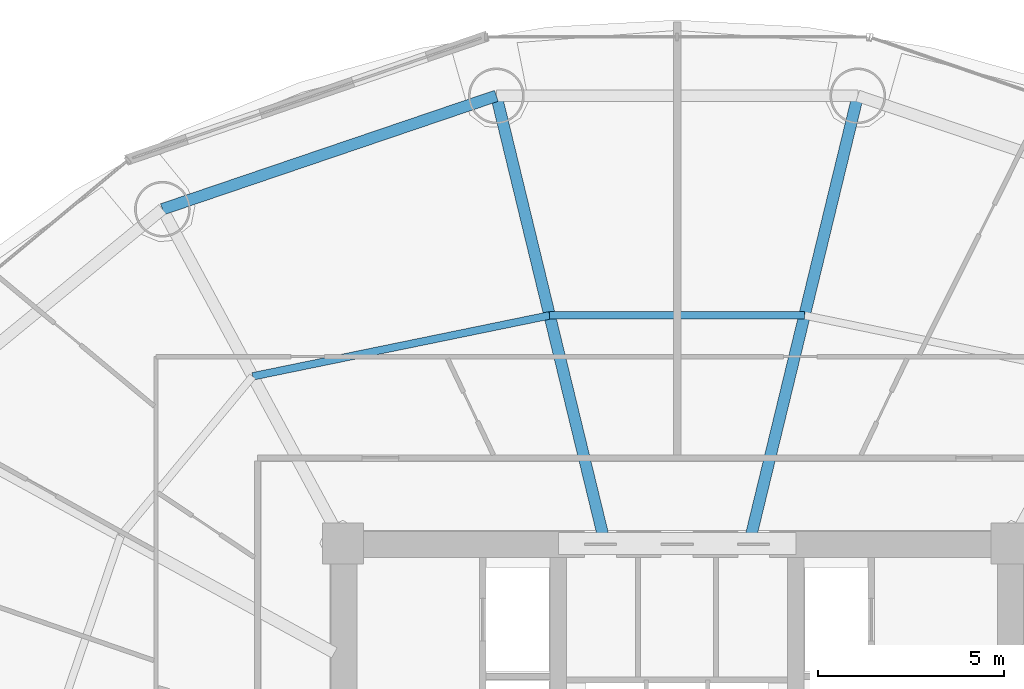
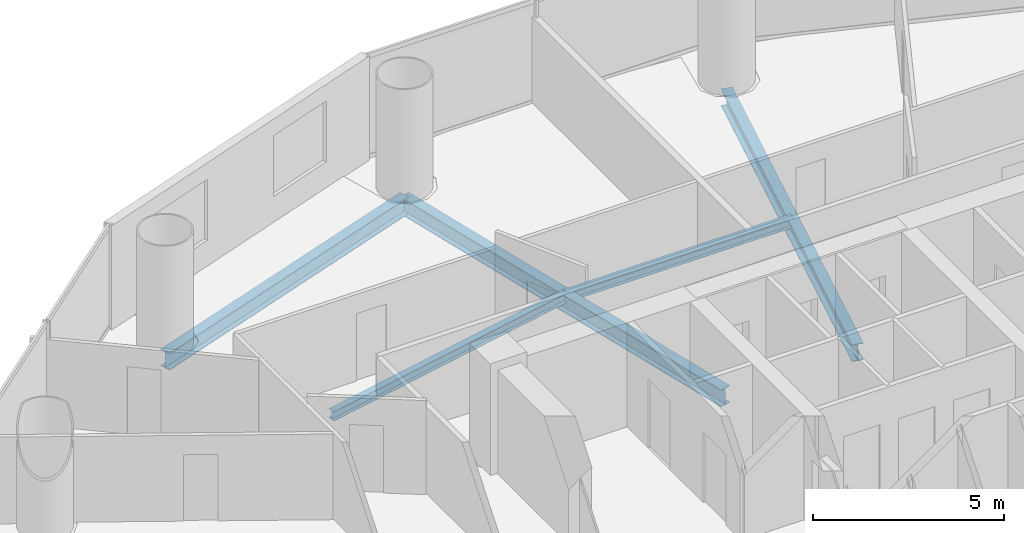
# One storey, part 17 of 29: 5 beams.
"""IFC4 building model written with IfcOpenShell, lengths in metres."""

import ifcopenshell
import ifcopenshell.guid

model = None  # the IFC model being written
_history = None  # IfcOwnerHistory: only IFC2X3 demands one
_inside = {}  # id of a spatial element -> (the spatial element, [elements in it])
_under = {}  # id of a project, library or spatial element -> (it, [spatial elements below it])
_declared = {}  # id of a project -> (the project, [libraries it declares])
_typed = {}  # id of a type object -> (the type object, [elements of that type])
_made_of = {}  # id of a material, layer set ... -> (it, [elements and type objects made of it])


def new_model(schema):
    """Start an empty IFC model of exactly this schema.

    Asked for "IFC4X3", IfcOpenShell would pick the latest addendum, in which some entities
    have other attributes; the version numbers below select the first issue.
    IFC2X3 requires an IfcOwnerHistory on every rooted entity: one is made here for all.
    """
    global model, _history
    if schema == "IFC4X3":
        model = ifcopenshell.file(schema_version=(4, 3, 0, 0))
    else:
        model = ifcopenshell.file(schema=schema)
    _inside.clear()
    _under.clear()
    _declared.clear()
    _typed.clear()
    _made_of.clear()
    _history = None
    if model.schema == "IFC2X3":
        org = make("IfcOrganization", Name="unknown")
        user = make(
            "IfcPersonAndOrganization",
            ThePerson=make("IfcPerson", FamilyName="unknown"),
            TheOrganization=org,
        )
        app = make(
            "IfcApplication",
            ApplicationDeveloper=org,
            Version="unknown",
            ApplicationFullName="unknown",
            ApplicationIdentifier="unknown",
        )
        _history = make(
            "IfcOwnerHistory",
            OwningUser=user,
            OwningApplication=app,
            ChangeAction="ADDED",
            CreationDate=0,
        )
    return model


def make(cls, **values):
    """One entity of the class cls with the attributes given. An attribute that is None is left unset."""
    return model.create_entity(
        cls, **{name: value for name, value in values.items() if value is not None}
    )


def rooted(cls, **values):
    """An entity with a GlobalId (a new one), such as an element, a storey or a relation."""
    return make(cls, GlobalId=ifcopenshell.guid.new(), OwnerHistory=_history, **values)


def si_unit(unit_type, name, prefix=None):
    """IfcSIUnit, for example si_unit("LENGTHUNIT", "METRE", prefix="MILLI")."""
    return make("IfcSIUnit", UnitType=unit_type, Prefix=prefix, Name=name)


def assignment(units):
    """IfcUnitAssignment: the units of a project."""
    return None if units is None else make("IfcUnitAssignment", Units=units)


def point(xyz):
    """IfcCartesianPoint."""
    return None if xyz is None else make("IfcCartesianPoint", Coordinates=xyz)


def direction(xyz):
    """IfcDirection."""
    return None if xyz is None else make("IfcDirection", DirectionRatios=xyz)


def frame(location, z_axis=None, x_axis=None):
    """IfcAxis2Placement3D, a coordinate frame: its origin and axes. An axis left out is left unset."""
    return make(
        "IfcAxis2Placement3D",
        Location=point(location),
        Axis=direction(z_axis),
        RefDirection=direction(x_axis),
    )


def frame_2d(location, x_axis=None):
    """IfcAxis2Placement2D, a coordinate frame in the plane: its origin and x axis."""
    return make(
        "IfcAxis2Placement2D", Location=point(location), RefDirection=direction(x_axis)
    )


def origin():
    """The frame at (0, 0, 0) with its axes left unset."""
    return frame((0.0, 0.0, 0.0))


def origin_2d():
    """The frame at (0, 0) in the plane with its x axis left unset."""
    return frame_2d((0.0, 0.0))


def place(relative_to, where):
    """IfcLocalPlacement: puts the frame where relative to a parent placement (None: the world)."""
    return make(
        "IfcLocalPlacement", PlacementRelTo=relative_to, RelativePlacement=where
    )


def context(
    kind, dimensions, precision=None, world=None, true_north=None, identifier=None
):
    """IfcGeometricRepresentationContext, for example the 3D "Model" context."""
    return make(
        "IfcGeometricRepresentationContext",
        ContextIdentifier=identifier,
        ContextType=kind,
        CoordinateSpaceDimension=dimensions,
        Precision=precision,
        WorldCoordinateSystem=world,
        TrueNorth=true_north,
    )


def subcontext(parent, identifier, kind, view, scale=None):
    """IfcGeometricRepresentationSubContext, for example "Body" below "Model"."""
    return make(
        "IfcGeometricRepresentationSubContext",
        ContextIdentifier=identifier,
        ContextType=kind,
        ParentContext=parent,
        TargetScale=scale,
        TargetView=view,
    )


def project(units=None, contexts=None):
    """IfcProject with its units and contexts."""
    return rooted(
        "IfcProject",
        Name="project",
        RepresentationContexts=contexts,
        UnitsInContext=assignment(units),
    )


def spatial(cls, under=None, at=None, **own):
    """A site, building, storey or space (cls), placed at a placement, below another one or the project."""
    s = rooted(cls, ObjectPlacement=at, **own)
    if under is not None:
        _under.setdefault(under.id(), (under, []))[1].append(s)
    return s


def profile(cls, at=None, kind="AREA", **sizes):
    """A parametric profile (cls). Its sizes go by their IFC names, for example OverallWidth=200.0."""
    return make(cls, ProfileType=kind, Position=at, **sizes)


def i_section(**sizes):
    """IfcIShapeProfileDef."""
    return profile("IfcIShapeProfileDef", **sizes)


def extrude(swept, where, along, depth):
    """IfcExtrudedAreaSolid: the profile swept, set in the frame where, extruded along a direction by depth."""
    return make(
        "IfcExtrudedAreaSolid",
        SweptArea=swept,
        Position=where,
        ExtrudedDirection=direction(along),
        Depth=depth,
    )


def shape(context_of_items, identifier, shape_type, items):
    """IfcShapeRepresentation: the items that make up one representation, for example the "Body"."""
    return make(
        "IfcShapeRepresentation",
        ContextOfItems=context_of_items,
        RepresentationIdentifier=identifier,
        RepresentationType=shape_type,
        Items=items,
    )


def material(Name=None, Category=None):
    """IfcMaterial."""
    return make("IfcMaterial", Name=Name, Category=Category)


def material_profile(
    of_material, cross_section, Name=None, Category=None, Priority=None
):
    """IfcMaterialProfile: a cross section and its material."""
    return make(
        "IfcMaterialProfile",
        Name=Name,
        Material=of_material,
        Profile=cross_section,
        Priority=Priority,
        Category=Category,
    )


def profile_set(profiles, Name=None, composite=None):
    """IfcMaterialProfileSet."""
    return make(
        "IfcMaterialProfileSet",
        Name=Name,
        MaterialProfiles=profiles,
        CompositeProfile=composite,
    )


def made_of(thing, what):
    """Note that an element or type object is made of a material, layer set ...; save() writes the relation."""
    if what is not None:
        _made_of.setdefault(what.id(), (what, []))[1].append(thing)
    return thing


def type_object(cls, material=None, **own):
    """A type object (cls), such as IfcWallType, which elements share."""
    return made_of(rooted(cls, **own), material)


def element(
    cls,
    number,
    at=None,
    inside=None,
    cuts=None,
    type_object=None,
    material=None,
    context=None,
    identifier="Body",
    shape_type=None,
    held_by="IfcProductDefinitionShape",
    body=None,
    shapes=None,
    **own,
):
    """One element of the class cls, such as IfcWall. Its Tag is "e" and its number.

    at: its placement. inside: the storey or other place that contains it. cuts: it is an
    opening in that element (IfcRelVoidsElement). A single representation is given by context,
    identifier, shape_type and body (its items); several are given by shapes. held_by: the class
    of the entity that holds the representations. save() writes the other relations.
    """
    e = rooted(cls, Tag="e%d" % number, ObjectPlacement=at, **own)
    if body is not None:
        shapes = [shape(context, identifier, shape_type, body)]
    if shapes is not None:
        e.Representation = make(held_by, Representations=shapes)
    if inside is not None:
        _inside.setdefault(inside.id(), (inside, []))[1].append(e)
    if cuts is not None:
        rooted(
            "IfcRelVoidsElement", RelatingBuildingElement=cuts, RelatedOpeningElement=e
        )
    if type_object is not None:
        _typed.setdefault(type_object.id(), (type_object, []))[1].append(e)
    return made_of(e, material)


def aggregate(whole, parts):
    """IfcRelAggregates: a whole, such as a stair, and the parts it consists of."""
    return rooted("IfcRelAggregates", RelatingObject=whole, RelatedObjects=parts)


def save(model, path):
    """Write the relations noted so far, then the file.

    IfcRelAggregates (storeys below a building ...), IfcRelContainedInSpatialStructure (elements
    in a storey), IfcRelDefinesByType, IfcRelAssociatesMaterial and IfcRelDeclares: one each for
    every whole, place, type object, material and project.
    """
    for whole, parts in _under.values():
        aggregate(whole, parts)
    for where, things in _inside.values():
        rooted(
            "IfcRelContainedInSpatialStructure",
            RelatedElements=things,
            RelatingStructure=where,
        )
    for kind, things in _typed.values():
        rooted("IfcRelDefinesByType", RelatedObjects=things, RelatingType=kind)
    for what, things in _made_of.values():
        rooted("IfcRelAssociatesMaterial", RelatedObjects=things, RelatingMaterial=what)
    for by, libraries in _declared.values():
        rooted("IfcRelDeclares", RelatingContext=by, RelatedDefinitions=libraries)
    model.write(path)


model = new_model("IFC4")

# Units and contexts
model_context = context("Model", 3, precision=1e-05, world=origin(), true_north=direction((-0.2419218956, 0.970295726276)))
body_context = subcontext(model_context, "Body", "Model", "MODEL_VIEW")
ifc_project = project(units=[si_unit("LENGTHUNIT", "METRE"), si_unit("AREAUNIT", "SQUARE_METRE"), si_unit("VOLUMEUNIT", "CUBIC_METRE"), si_unit("PLANEANGLEUNIT", "RADIAN"), si_unit("MASSUNIT", "GRAM", prefix="KILO")], contexts=[model_context])

# Site, building, storey
site_placement = place(None, origin())
site = spatial("IfcSite", under=ifc_project, at=site_placement, CompositionType="ELEMENT")
building_placement = place(site_placement, origin())
building = spatial("IfcBuilding", under=site, at=building_placement, Name="Cobrevalo Terracotta Tower", CompositionType="ELEMENT")
storey_placement = place(building_placement, frame((0.0, 0.0, 79.800048828125)))
storey = spatial("IfcBuildingStorey", under=building, at=storey_placement, Name="L20", CompositionType="ELEMENT", Elevation=79.800048828125)

# Beams
ifc_material = material(Name="Steel S355", Category="steel")
ifc_material_profile_1 = material_profile(ifc_material, i_section(OverallWidth=0.31201171875, OverallDepth=0.54296875, WebThickness=0.0126953125, FlangeThickness=0.020263671875, at=origin_2d()), Name="W 530x150")
ifc_profile_set_1 = profile_set([ifc_material_profile_1], Name="Steel S355")
beam_type_1 = type_object("IfcBeamType", Name="Structural Beam W 530x150 (Steel S355)", PredefinedType="BEAM", material=ifc_profile_set_1)
for number, where, z_axis, x_axis, name in (
    (1, (42.867431640625, 46.857177734375, -0.546630859375), (-0.235827379387, -0.971794961467, 0.0), (0.971794961467, -0.235827379387, 0.0), "L20 radial floor girder 04"),
    (2, (33.132568359375, 46.857177734375, -0.546630859375), (0.235827379387, -0.971794961467, 0.0), (0.971794961467, 0.235827379387, 0.0), "L20 radial floor girder 05"),
):
    element("IfcBeam", number, at=place(storey_placement, frame(where, z_axis=z_axis, x_axis=x_axis)), inside=storey, type_object=beam_type_1, Name=name, PredefinedType="BEAM", context=body_context, shape_type="SweptSolid", body=[
        extrude(i_section(OverallWidth=0.31201171875, OverallDepth=0.54296875, WebThickness=0.0126953125, FlangeThickness=0.020263671875, at=origin_2d()), origin(), (0.0, 0.0, 1.0), 12.17041015625),
    ])
ifc_material_profile_2 = material_profile(ifc_material, i_section(OverallWidth=0.2041015625, OverallDepth=0.305908203125, WebThickness=0.008544921875, FlangeThickness=0.0146484375, at=origin_2d()), Name="W 310x67")
ifc_profile_set_2 = profile_set([ifc_material_profile_2], Name="Steel S355")
beam_type_2 = type_object("IfcBeamType", Name="Structural Joist W 310x67 (Steel S355)", PredefinedType="JOIST", material=ifc_profile_set_2)
beam_1_placement = place(storey_placement, frame((41.432373046875, 40.943603515625, -0.427978515625), z_axis=(-1.0, 0.0, 0.0), x_axis=(0.0, -1.0, 0.0)))
element("IfcBeam", 3, at=beam_1_placement, inside=storey, type_object=beam_type_2, Name="L20 circumferential secondary floor joist 04", PredefinedType="JOIST", context=body_context, shape_type="SweptSolid", body=[
    extrude(i_section(OverallWidth=0.2041015625, OverallDepth=0.305908203125, WebThickness=0.008544921875, FlangeThickness=0.0146484375, at=origin_2d()), origin(), (0.0, 0.0, 1.0), 6.86474609375),
])
beam_2_placement = place(storey_placement, frame((34.567626953125, 40.943603515625, -0.427978515625), z_axis=(-0.979574469315, -0.201081722357, 0.0), x_axis=(0.201081722357, -0.979574469315, 0.0)))
element("IfcBeam", 4, at=beam_2_placement, inside=storey, type_object=beam_type_2, Name="L20 circumferential secondary floor joist 05", PredefinedType="JOIST", context=body_context, shape_type="SweptSolid", body=[
    extrude(i_section(OverallWidth=0.2041015625, OverallDepth=0.305908203125, WebThickness=0.008544921875, FlangeThickness=0.0146484375, at=origin_2d()), origin(), (0.0, 0.0, 1.0), 8.1650390625),
])
ifc_material_profile_3 = material_profile(ifc_material, i_section(OverallWidth=0.31201171875, OverallDepth=0.54296875, WebThickness=0.0126953125, FlangeThickness=0.020263671875, at=origin_2d()), Name="W 530x150")
ifc_profile_set_3 = profile_set([ifc_material_profile_3], Name="Steel S355")
beam_type_3 = type_object("IfcBeamType", Name="Structural Spandrel W 530x150 (Steel S355)", PredefinedType="SPANDREL", material=ifc_profile_set_3)
beam_3_placement = place(storey_placement, frame((33.132568359375, 46.857177734375, -0.546630859375), z_axis=(-0.946910528816, -0.32149720126, 0.0), x_axis=(0.32149720126, -0.946910528816, 0.0)))
element("IfcBeam", 5, at=beam_3_placement, inside=storey, type_object=beam_type_3, Name="L20 perimeter ring spandrel 05", PredefinedType="SPANDREL", context=body_context, shape_type="SweptSolid", body=[
    extrude(i_section(OverallWidth=0.31201171875, OverallDepth=0.54296875, WebThickness=0.0126953125, FlangeThickness=0.020263671875, at=origin_2d()), origin(), (0.0, 0.0, 1.0), 9.498291015625),
])

save(model, "model.ifc")
